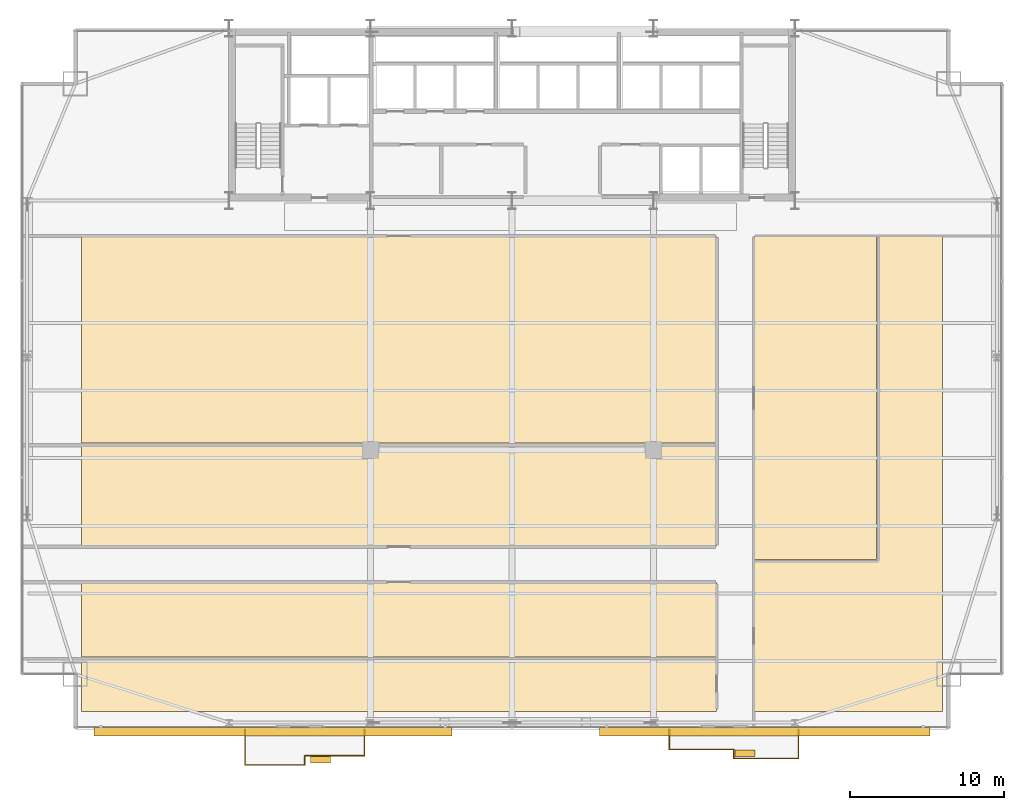
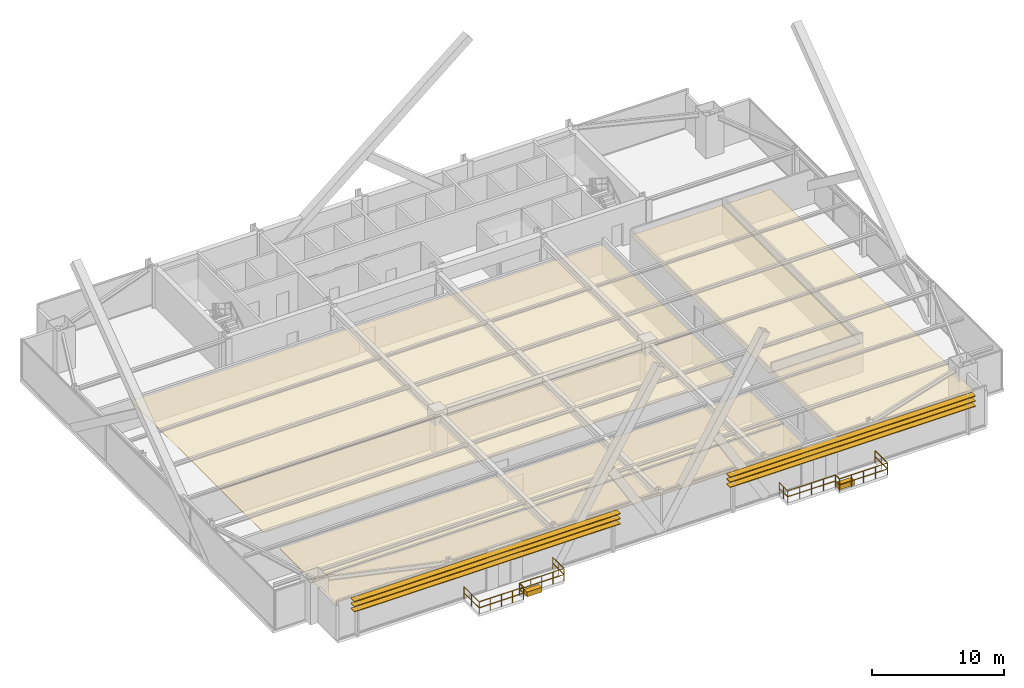
# One storey, part 31 of 32: 10 railings, 8 coverings, 6 shading devices.
"""IFC4 building model written with IfcOpenShell, lengths in metres."""

from ifc_helpers import new_model, si_unit, direction, frame, origin, origin_2d, place, context, subcontext, project, spatial, polyline, rectangle, outline, extrude, source, transform, mapped, material, layer, layer_set, type_object, type_shapes, element, save


model = new_model("IFC4")

# Units and contexts
model_context = context("Model", 3, precision=1e-05, world=origin(), true_north=direction((0.0, 1.0)))
body_context = subcontext(model_context, "Body", "Model", "MODEL_VIEW")
ifc_project = project(units=[si_unit("LENGTHUNIT", "METRE"), si_unit("AREAUNIT", "SQUARE_METRE"), si_unit("VOLUMEUNIT", "CUBIC_METRE"), si_unit("PLANEANGLEUNIT", "RADIAN"), si_unit("MASSUNIT", "GRAM", prefix="KILO")], contexts=[model_context])

# Site, building, storey
site_placement = place(None, origin())
site = spatial("IfcSite", under=ifc_project, at=site_placement, CompositionType="ELEMENT")
building_placement = place(site_placement, origin())
building = spatial("IfcBuilding", under=site, at=building_placement, Name="Varnel Quay Broadcast Tower", CompositionType="ELEMENT")
storey_placement = place(building_placement, frame((0.0, 0.0, 43.199951171875)))
storey = spatial("IfcBuildingStorey", under=building, at=storey_placement, Name="L09", CompositionType="ELEMENT", Elevation=43.199951171875)

# Coverings
ifc_material_1 = material(Name="Micro-Perforated Acoustic Ceiling Tile")
ifc_layer_1 = layer(ifc_material_1, 0.0400390625, Name="Micro-Perforated Acoustic Ceiling Tile")
ifc_layer_set_1 = layer_set([ifc_layer_1], Name="Micro-Perforated Acoustic Ceiling Tile")
covering_type_1 = type_object("IfcCoveringType", Name="Cov_AcousticCeiling", PredefinedType="CEILING", material=ifc_layer_set_1)
covering_1_placement = place(storey_placement, frame((0.0, 0.0, 2.580078125)))
element("IfcCovering", 1, at=covering_1_placement, inside=storey, type_object=covering_type_1, Name="L09 Broadcast Seminar Room 1 Acoustic Ceiling", PredefinedType="CEILING", context=body_context, shape_type="SweptSolid", body=[
    extrude(outline(polyline([(5.985107421875, 2.375), (47.284912109375, 2.375), (47.284912109375, 5.864990234375), (5.985107421875, 5.864990234375), (5.985107421875, 2.375)])), origin(), (0.0, 0.0, 1.0), 0.0400390625),
])
covering_2_placement = place(storey_placement, frame((0.0, 0.0, 2.580078125)))
element("IfcCovering", 2, at=covering_2_placement, inside=storey, type_object=covering_type_1, Name="L09 Podcast Recording Studio 2 Acoustic Ceiling", PredefinedType="CEILING", context=body_context, shape_type="SweptSolid", body=[
    extrude(outline(polyline([(5.985107421875, 5.93505859375), (47.284912109375, 5.93505859375), (47.284912109375, 10.7548828125), (5.985107421875, 10.7548828125), (5.985107421875, 5.93505859375)])), origin(), (0.0, 0.0, 1.0), 0.0400390625),
])
covering_3_placement = place(storey_placement, frame((0.0, 0.0, 2.580078125)))
element("IfcCovering", 3, at=covering_3_placement, inside=storey, type_object=covering_type_1, Name="L09 Foley Sound Studio 3 Acoustic Ceiling", PredefinedType="CEILING", context=body_context, shape_type="SweptSolid", body=[
    extrude(outline(polyline([(5.985107421875, 13.125), (47.284912109375, 13.125), (47.284912109375, 19.7548828125), (5.985107421875, 19.7548828125), (5.985107421875, 13.125)])), origin(), (0.0, 0.0, 1.0), 0.0400390625),
])
covering_4_placement = place(storey_placement, frame((0.0, 0.0, 2.580078125)))
element("IfcCovering", 4, at=covering_4_placement, inside=storey, type_object=covering_type_1, Name="L09 Voice Booth 4 Acoustic Ceiling", PredefinedType="CEILING", context=body_context, shape_type="SweptSolid", body=[
    extrude(outline(polyline([(5.985107421875, 19.824951171875), (47.284912109375, 19.824951171875), (47.284912109375, 33.264892578125), (5.985107421875, 33.264892578125), (5.985107421875, 19.824951171875)])), origin(), (0.0, 0.0, 1.0), 0.0400390625),
])
covering_5_placement = place(storey_placement, frame((0.0, 0.0, 2.580078125)))
element("IfcCovering", 5, at=covering_5_placement, inside=storey, type_object=covering_type_1, Name="L09 Talent Lounge 5 Acoustic Ceiling", PredefinedType="CEILING", context=body_context, shape_type="SweptSolid", body=[
    extrude(outline(polyline([(49.7548828125, 2.375), (62.014892578125, 2.375), (62.014892578125, 33.264892578125), (57.784912109375, 33.264892578125), (57.784912109375, 12.195068359375), (49.7548828125, 12.195068359375), (49.7548828125, 2.375)])), origin(), (0.0, 0.0, 1.0), 0.0400390625),
])
covering_6_placement = place(storey_placement, frame((0.0, 0.0, 2.580078125)))
element("IfcCovering", 6, at=covering_6_placement, inside=storey, type_object=covering_type_1, Name="L09 Foley Sound Studio 6 Acoustic Ceiling", PredefinedType="CEILING", context=body_context, shape_type="SweptSolid", body=[
    extrude(outline(polyline([(49.7548828125, 12.264892578125), (57.715087890625, 12.264892578125), (57.715087890625, 33.264892578125), (49.7548828125, 33.264892578125), (49.7548828125, 12.264892578125)])), origin(), (0.0, 0.0, 1.0), 0.0400390625),
])

# Railings
ifc_material_2 = material(Name="Anodised Bronze Aluminium 6063-T6", Category="aluminium")
railing_type = type_object("IfcRailingType", Name="Rail_Balustrade1150", PredefinedType="BALUSTRADE", material=ifc_material_2)
railing_1_placement = place(storey_placement, frame((16.6298828125, -1.110107421875, 0.0)))
element("IfcRailing", 7, at=railing_1_placement, inside=storey, type_object=railing_type, Name="L09 Terrace 1 Guard 1", PredefinedType="BALUSTRADE", context=body_context, shape_type="SweptSolid", body=[
    extrude(rectangle(XDim=0.048095703125, YDim=0.048095703125, at=origin_2d()), frame((0.0, 0.0, 1.1259765625), z_axis=(1.0, 0.0, 0.0), x_axis=(0.0, 1.0, 0.0)), (0.0, 0.0, 1.0), 3.885009765625),
    extrude(rectangle(XDim=0.048095703125, YDim=0.048095703125, at=origin_2d()), frame((0.0, 0.0, 0.574951171875), z_axis=(1.0, 0.0, 0.0), x_axis=(0.0, 1.0, 0.0)), (0.0, 0.0, 1.0), 3.885009765625),
    extrude(rectangle(XDim=0.0419921875, YDim=0.0419921875, at=origin_2d()), origin(), (0.0, 0.0, 1.0), 1.101806640625),
    extrude(rectangle(XDim=0.0419921875, YDim=0.0419921875, at=origin_2d()), frame((0.97119140625, 0.0, 0.0)), (0.0, 0.0, 1.0), 1.101806640625),
    extrude(rectangle(XDim=0.0419921875, YDim=0.0419921875, at=origin_2d()), frame((1.9423828125, 0.0, 0.0)), (0.0, 0.0, 1.0), 1.101806640625),
    extrude(rectangle(XDim=0.0419921875, YDim=0.0419921875, at=origin_2d()), frame((2.913818359375, 0.0, 0.0)), (0.0, 0.0, 1.0), 1.101806640625),
    extrude(rectangle(XDim=0.0419921875, YDim=0.0419921875, at=origin_2d()), frame((3.885009765625, 0.0, 0.0)), (0.0, 0.0, 1.0), 1.101806640625),
])
railing_2_placement = place(storey_placement, frame((20.514892578125, -1.110107421875, 0.0)))
element("IfcRailing", 8, at=railing_2_placement, inside=storey, type_object=railing_type, Name="L09 Terrace 1 Guard 2", PredefinedType="BALUSTRADE", context=body_context, shape_type="SweptSolid", body=[
    extrude(rectangle(XDim=0.048095703125, YDim=0.048095703125, at=origin_2d()), frame((0.0, 0.0, 1.1259765625), z_axis=(0.0, 1.0, 0.0), x_axis=(-1.0, 0.0, 0.0)), (0.0, 0.0, 1.0), 0.60009765625),
    extrude(rectangle(XDim=0.048095703125, YDim=0.048095703125, at=origin_2d()), frame((0.0, 0.0, 0.574951171875), z_axis=(0.0, 1.0, 0.0), x_axis=(-1.0, 0.0, 0.0)), (0.0, 0.0, 1.0), 0.60009765625),
    extrude(rectangle(XDim=0.0419921875, YDim=0.0419921875, at=origin_2d()), origin(), (0.0, 0.0, 1.0), 1.101806640625),
    extrude(rectangle(XDim=0.0419921875, YDim=0.0419921875, at=origin_2d()), frame((0.0, 0.60009765625, 0.0)), (0.0, 0.0, 1.0), 1.101806640625),
])
railing_3_placement = place(storey_placement, frame((20.514892578125, -0.510009765625, 0.0)))
element("IfcRailing", 9, at=railing_3_placement, inside=storey, type_object=railing_type, Name="L09 Terrace 1 Guard 3", PredefinedType="BALUSTRADE", context=body_context, shape_type="SweptSolid", body=[
    extrude(rectangle(XDim=0.048095703125, YDim=0.048095703125, at=origin_2d()), frame((0.0, 0.0, 1.1259765625), z_axis=(1.0, 0.0, 0.0), x_axis=(0.0, 1.0, 0.0)), (0.0, 0.0, 1.0), 3.885009765625),
    extrude(rectangle(XDim=0.048095703125, YDim=0.048095703125, at=origin_2d()), frame((0.0, 0.0, 0.574951171875), z_axis=(1.0, 0.0, 0.0), x_axis=(0.0, 1.0, 0.0)), (0.0, 0.0, 1.0), 3.885009765625),
    extrude(rectangle(XDim=0.0419921875, YDim=0.0419921875, at=origin_2d()), origin(), (0.0, 0.0, 1.0), 1.101806640625),
    extrude(rectangle(XDim=0.0419921875, YDim=0.0419921875, at=origin_2d()), frame((0.97119140625, 0.0, 0.0)), (0.0, 0.0, 1.0), 1.101806640625),
    extrude(rectangle(XDim=0.0419921875, YDim=0.0419921875, at=origin_2d()), frame((1.9423828125, 0.0, 0.0)), (0.0, 0.0, 1.0), 1.101806640625),
    extrude(rectangle(XDim=0.0419921875, YDim=0.0419921875, at=origin_2d()), frame((2.913818359375, 0.0, 0.0)), (0.0, 0.0, 1.0), 1.101806640625),
    extrude(rectangle(XDim=0.0419921875, YDim=0.0419921875, at=origin_2d()), frame((3.885009765625, 0.0, 0.0)), (0.0, 0.0, 1.0), 1.101806640625),
])
railing_4_placement = place(storey_placement, frame((24.39990234375, -0.510009765625, 0.0)))
element("IfcRailing", 10, at=railing_4_placement, inside=storey, type_object=railing_type, Name="L09 Terrace 1 Guard 4", PredefinedType="BALUSTRADE", context=body_context, shape_type="SweptSolid", body=[
    extrude(rectangle(XDim=0.048095703125, YDim=0.048095703125, at=origin_2d()), frame((0.0, 0.0, 1.1259765625), z_axis=(0.0, 1.0, 0.0), x_axis=(-1.0, 0.0, 0.0)), (0.0, 0.0, 1.0), 1.7099609375),
    extrude(rectangle(XDim=0.048095703125, YDim=0.048095703125, at=origin_2d()), frame((0.0, 0.0, 0.574951171875), z_axis=(0.0, 1.0, 0.0), x_axis=(-1.0, 0.0, 0.0)), (0.0, 0.0, 1.0), 1.7099609375),
    extrude(rectangle(XDim=0.0419921875, YDim=0.0419921875, at=origin_2d()), origin(), (0.0, 0.0, 1.0), 1.101806640625),
    extrude(rectangle(XDim=0.0419921875, YDim=0.0419921875, at=origin_2d()), frame((0.0, 0.85498046875, 0.0)), (0.0, 0.0, 1.0), 1.101806640625),
    extrude(rectangle(XDim=0.0419921875, YDim=0.0419921875, at=origin_2d()), frame((0.0, 1.7099609375, 0.0)), (0.0, 0.0, 1.0), 1.101806640625),
])
railing_5_placement = place(storey_placement, frame((16.6298828125, 1.199951171875, 0.0)))
element("IfcRailing", 11, at=railing_5_placement, inside=storey, type_object=railing_type, Name="L09 Terrace 1 Guard 6", PredefinedType="BALUSTRADE", context=body_context, shape_type="SweptSolid", body=[
    extrude(rectangle(XDim=0.048095703125, YDim=0.048095703125, at=origin_2d()), frame((0.0, 0.0, 1.1259765625), z_axis=(0.0, -1.0, 0.0), x_axis=(1.0, 0.0, 0.0)), (0.0, 0.0, 1.0), 2.31005859375),
    extrude(rectangle(XDim=0.048095703125, YDim=0.048095703125, at=origin_2d()), frame((0.0, 0.0, 0.574951171875), z_axis=(0.0, -1.0, 0.0), x_axis=(1.0, 0.0, 0.0)), (0.0, 0.0, 1.0), 2.31005859375),
    extrude(rectangle(XDim=0.0419921875, YDim=0.0419921875, at=origin_2d()), origin(), (0.0, 0.0, 1.0), 1.101806640625),
    extrude(rectangle(XDim=0.0419921875, YDim=0.0419921875, at=origin_2d()), frame((0.0, -1.155029296875, 0.0)), (0.0, 0.0, 1.0), 1.101806640625),
    extrude(rectangle(XDim=0.0419921875, YDim=0.0419921875, at=origin_2d()), frame((0.0, -2.31005859375, 0.0)), (0.0, 0.0, 1.0), 1.101806640625),
])
railing_6_placement = place(storey_placement, frame((44.22998046875, -0.090087890625, 0.0)))
element("IfcRailing", 12, at=railing_6_placement, inside=storey, type_object=railing_type, Name="L09 Terrace 2 Guard 1", PredefinedType="BALUSTRADE", context=body_context, shape_type="SweptSolid", body=[
    extrude(rectangle(XDim=0.048095703125, YDim=0.048095703125, at=origin_2d()), frame((0.0, 0.0, 1.1259765625), z_axis=(1.0, 0.0, 0.0), x_axis=(0.0, 1.0, 0.0)), (0.0, 0.0, 1.0), 4.199951171875),
    extrude(rectangle(XDim=0.048095703125, YDim=0.048095703125, at=origin_2d()), frame((0.0, 0.0, 0.574951171875), z_axis=(1.0, 0.0, 0.0), x_axis=(0.0, 1.0, 0.0)), (0.0, 0.0, 1.0), 4.199951171875),
    extrude(rectangle(XDim=0.0419921875, YDim=0.0419921875, at=origin_2d()), origin(), (0.0, 0.0, 1.0), 1.101806640625),
    extrude(rectangle(XDim=0.0419921875, YDim=0.0419921875, at=origin_2d()), frame((1.050048828125, 0.0, 0.0)), (0.0, 0.0, 1.0), 1.101806640625),
    extrude(rectangle(XDim=0.0419921875, YDim=0.0419921875, at=origin_2d()), frame((2.10009765625, 0.0, 0.0)), (0.0, 0.0, 1.0), 1.101806640625),
    extrude(rectangle(XDim=0.0419921875, YDim=0.0419921875, at=origin_2d()), frame((3.14990234375, 0.0, 0.0)), (0.0, 0.0, 1.0), 1.101806640625),
    extrude(rectangle(XDim=0.0419921875, YDim=0.0419921875, at=origin_2d()), frame((4.199951171875, 0.0, 0.0)), (0.0, 0.0, 1.0), 1.101806640625),
])
railing_7_placement = place(storey_placement, frame((48.429931640625, -0.090087890625, 0.0)))
element("IfcRailing", 13, at=railing_7_placement, inside=storey, type_object=railing_type, Name="L09 Terrace 2 Guard 2", PredefinedType="BALUSTRADE", context=body_context, shape_type="SweptSolid", body=[
    extrude(rectangle(XDim=0.048095703125, YDim=0.048095703125, at=origin_2d()), frame((0.0, 0.0, 1.1259765625), z_axis=(0.0, -1.0, 0.0), x_axis=(1.0, 0.0, 0.0)), (0.0, 0.0, 1.0), 0.599853515625),
    extrude(rectangle(XDim=0.048095703125, YDim=0.048095703125, at=origin_2d()), frame((0.0, 0.0, 0.574951171875), z_axis=(0.0, -1.0, 0.0), x_axis=(1.0, 0.0, 0.0)), (0.0, 0.0, 1.0), 0.599853515625),
    extrude(rectangle(XDim=0.0419921875, YDim=0.0419921875, at=origin_2d()), origin(), (0.0, 0.0, 1.0), 1.101806640625),
    extrude(rectangle(XDim=0.0419921875, YDim=0.0419921875, at=origin_2d()), frame((0.0, -0.599853515625, 0.0)), (0.0, 0.0, 1.0), 1.101806640625),
])
railing_8_placement = place(storey_placement, frame((48.429931640625, -0.68994140625, 0.0)))
element("IfcRailing", 14, at=railing_8_placement, inside=storey, type_object=railing_type, Name="L09 Terrace 2 Guard 3", PredefinedType="BALUSTRADE", context=body_context, shape_type="SweptSolid", body=[
    extrude(rectangle(XDim=0.048095703125, YDim=0.048095703125, at=origin_2d()), frame((0.0, 0.0, 1.1259765625), z_axis=(1.0, 0.0, 0.0), x_axis=(0.0, 1.0, 0.0)), (0.0, 0.0, 1.0), 4.199951171875),
    extrude(rectangle(XDim=0.048095703125, YDim=0.048095703125, at=origin_2d()), frame((0.0, 0.0, 0.574951171875), z_axis=(1.0, 0.0, 0.0), x_axis=(0.0, 1.0, 0.0)), (0.0, 0.0, 1.0), 4.199951171875),
    extrude(rectangle(XDim=0.0419921875, YDim=0.0419921875, at=origin_2d()), origin(), (0.0, 0.0, 1.0), 1.101806640625),
    extrude(rectangle(XDim=0.0419921875, YDim=0.0419921875, at=origin_2d()), frame((1.050048828125, 0.0, 0.0)), (0.0, 0.0, 1.0), 1.101806640625),
    extrude(rectangle(XDim=0.0419921875, YDim=0.0419921875, at=origin_2d()), frame((2.10009765625, 0.0, 0.0)), (0.0, 0.0, 1.0), 1.101806640625),
    extrude(rectangle(XDim=0.0419921875, YDim=0.0419921875, at=origin_2d()), frame((3.14990234375, 0.0, 0.0)), (0.0, 0.0, 1.0), 1.101806640625),
    extrude(rectangle(XDim=0.0419921875, YDim=0.0419921875, at=origin_2d()), frame((4.199951171875, 0.0, 0.0)), (0.0, 0.0, 1.0), 1.101806640625),
])
railing_9_placement = place(storey_placement, frame((52.6298828125, -0.68994140625, 0.0)))
element("IfcRailing", 15, at=railing_9_placement, inside=storey, type_object=railing_type, Name="L09 Terrace 2 Guard 4", PredefinedType="BALUSTRADE", context=body_context, shape_type="SweptSolid", body=[
    extrude(rectangle(XDim=0.048095703125, YDim=0.048095703125, at=origin_2d()), frame((0.0, 0.0, 1.1259765625), z_axis=(0.0, 1.0, 0.0), x_axis=(-1.0, 0.0, 0.0)), (0.0, 0.0, 1.0), 1.889892578125),
    extrude(rectangle(XDim=0.048095703125, YDim=0.048095703125, at=origin_2d()), frame((0.0, 0.0, 0.574951171875), z_axis=(0.0, 1.0, 0.0), x_axis=(-1.0, 0.0, 0.0)), (0.0, 0.0, 1.0), 1.889892578125),
    extrude(rectangle(XDim=0.0419921875, YDim=0.0419921875, at=origin_2d()), origin(), (0.0, 0.0, 1.0), 1.101806640625),
    extrude(rectangle(XDim=0.0419921875, YDim=0.0419921875, at=origin_2d()), frame((0.0, 0.94482421875, 0.0)), (0.0, 0.0, 1.0), 1.101806640625),
    extrude(rectangle(XDim=0.0419921875, YDim=0.0419921875, at=origin_2d()), frame((0.0, 1.889892578125, 0.0)), (0.0, 0.0, 1.0), 1.101806640625),
])
railing_10_placement = place(storey_placement, frame((44.22998046875, 1.199951171875, 0.0)))
element("IfcRailing", 16, at=railing_10_placement, inside=storey, type_object=railing_type, Name="L09 Terrace 2 Guard 6", PredefinedType="BALUSTRADE", context=body_context, shape_type="SweptSolid", body=[
    extrude(rectangle(XDim=0.048095703125, YDim=0.048095703125, at=origin_2d()), frame((0.0, 0.0, 1.1259765625), z_axis=(0.0, -1.0, 0.0), x_axis=(1.0, 0.0, 0.0)), (0.0, 0.0, 1.0), 1.2900390625),
    extrude(rectangle(XDim=0.048095703125, YDim=0.048095703125, at=origin_2d()), frame((0.0, 0.0, 0.574951171875), z_axis=(0.0, -1.0, 0.0), x_axis=(1.0, 0.0, 0.0)), (0.0, 0.0, 1.0), 1.2900390625),
    extrude(rectangle(XDim=0.0419921875, YDim=0.0419921875, at=origin_2d()), origin(), (0.0, 0.0, 1.0), 1.101806640625),
    extrude(rectangle(XDim=0.0419921875, YDim=0.0419921875, at=origin_2d()), frame((0.0, -0.64501953125, 0.0)), (0.0, 0.0, 1.0), 1.101806640625),
    extrude(rectangle(XDim=0.0419921875, YDim=0.0419921875, at=origin_2d()), frame((0.0, -1.2900390625, 0.0)), (0.0, 0.0, 1.0), 1.101806640625),
])

# Coverings
ifc_material_3 = material(Name="Bronze-Terracotta Extruded Ceramic Blade", Category="masonry")
ifc_layer_2 = layer(ifc_material_3, 0.449951171875, Name="Bronze-Terracotta Extruded Ceramic Blade")
ifc_layer_set_2 = layer_set([ifc_layer_2], Name="Bronze-Terracotta Extruded Ceramic Blade")
covering_type_2 = type_object("IfcCoveringType", Name="Cov_BronzePlanter", PredefinedType="CLADDING", material=ifc_layer_set_2)
shared_shape_1 = source(origin(), body_context, "Body", "SweptSolid", [
    extrude(rectangle(XDim=1.300048828125, YDim=0.449951171875, at=origin_2d()), origin(), (0.0, 0.0, 1.0), 0.449951171875),
])
type_shapes(covering_type_2, [shared_shape_1])
for number, where, z_axis, x_axis, name in (
    (17, (21.550048828125, -0.760009765625, 0.0), (0.0, 0.0, 1.0), (1.0, 0.0, 0.0), "L09 Terrace 1 Bronze Planter"),
    (18, (49.14990234375, -0.340087890625, 0.0), (0.0, 0.0, 1.0), (1.0, 0.0, 0.0), "L09 Terrace 2 Bronze Planter"),
):
    element("IfcCovering", number, at=place(storey_placement, frame(where, z_axis=z_axis, x_axis=x_axis)), inside=storey, type_object=covering_type_2, Name=name, PredefinedType="CLADDING", context=body_context, shape_type="MappedRepresentation", body=[
        mapped(shared_shape_1, transform((0.0, 0.0, 0.0), x_axis=(1.0, 0.0, 0.0), y_axis=(0.0, 1.0, 0.0), z_axis=(0.0, 0.0, 1.0), scale=1.0)),
    ])

# Shading devices
ifc_layer_3 = layer(ifc_material_3, 0.06494140625, Name="Bronze-Terracotta Extruded Ceramic Blade")
ifc_layer_set_3 = layer_set([ifc_layer_3], Name="Bronze-Terracotta Extruded Ceramic Blade")
shading_device_type = type_object("IfcShadingDeviceType", Name="Shade_LouvreBlade550", PredefinedType="JALOUSIE", material=ifc_layer_set_3)
shared_shape_2 = source(origin(), body_context, "Body", "SweptSolid", [
    extrude(rectangle(XDim=23.294921875, YDim=0.550048828125, at=origin_2d()), origin(), (0.0, 0.0, 1.0), 0.06494140625),
])
for number, where, z_axis, x_axis, name in (
    (19, (18.447021484375, 1.06005859375, 2.447509765625), (0.0, 0.0, 1.0), (1.0, 0.0, 0.0), "L09 Lobe 1 Horizontal Louvre Blade 1"),
    (20, (18.447021484375, 1.06005859375, 2.927490234375), (0.0, 0.0, 1.0), (1.0, 0.0, 0.0), "L09 Lobe 1 Horizontal Louvre Blade 2"),
    (21, (18.447021484375, 1.06005859375, 3.3876953125), (0.0, 0.0, 1.0), (1.0, 0.0, 0.0), "L09 Lobe 1 Horizontal Louvre Blade 3"),
):
    element("IfcShadingDevice", number, at=place(storey_placement, frame(where, z_axis=z_axis, x_axis=x_axis)), inside=storey, type_object=shading_device_type, Name=name, PredefinedType="JALOUSIE", context=body_context, shape_type="MappedRepresentation", body=[
        mapped(shared_shape_2, transform((0.0, 0.0, 0.0), x_axis=(1.0, 0.0, 0.0), y_axis=(0.0, 1.0, 0.0), z_axis=(0.0, 0.0, 1.0), scale=1.0)),
    ])
shared_shape_3 = source(origin(), body_context, "Body", "SweptSolid", [
    extrude(rectangle(XDim=21.5048828125, YDim=0.550048828125, at=origin_2d()), origin(), (0.0, 0.0, 1.0), 0.06494140625),
])
type_shapes(shading_device_type, [shared_shape_2, shared_shape_3])
for number, where, z_axis, x_axis, name in (
    (22, (50.447998046875, 1.06005859375, 2.447509765625), (0.0, 0.0, 1.0), (1.0, 0.0, 0.0), "L09 Lobe 2 Horizontal Louvre Blade 1"),
    (23, (50.447998046875, 1.06005859375, 2.927490234375), (0.0, 0.0, 1.0), (1.0, 0.0, 0.0), "L09 Lobe 2 Horizontal Louvre Blade 2"),
    (24, (50.447998046875, 1.06005859375, 3.3876953125), (0.0, 0.0, 1.0), (1.0, 0.0, 0.0), "L09 Lobe 2 Horizontal Louvre Blade 3"),
):
    element("IfcShadingDevice", number, at=place(storey_placement, frame(where, z_axis=z_axis, x_axis=x_axis)), inside=storey, type_object=shading_device_type, Name=name, PredefinedType="JALOUSIE", context=body_context, shape_type="MappedRepresentation", body=[
        mapped(shared_shape_3, transform((0.0, 0.0, 0.0), x_axis=(1.0, 0.0, 0.0), y_axis=(0.0, 1.0, 0.0), z_axis=(0.0, 0.0, 1.0), scale=1.0)),
    ])

save(model, "model.ifc")
